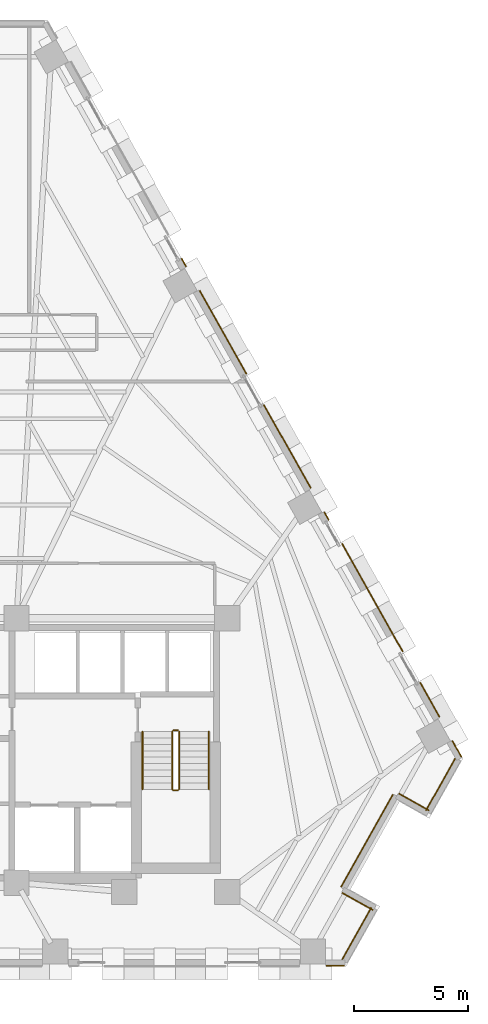
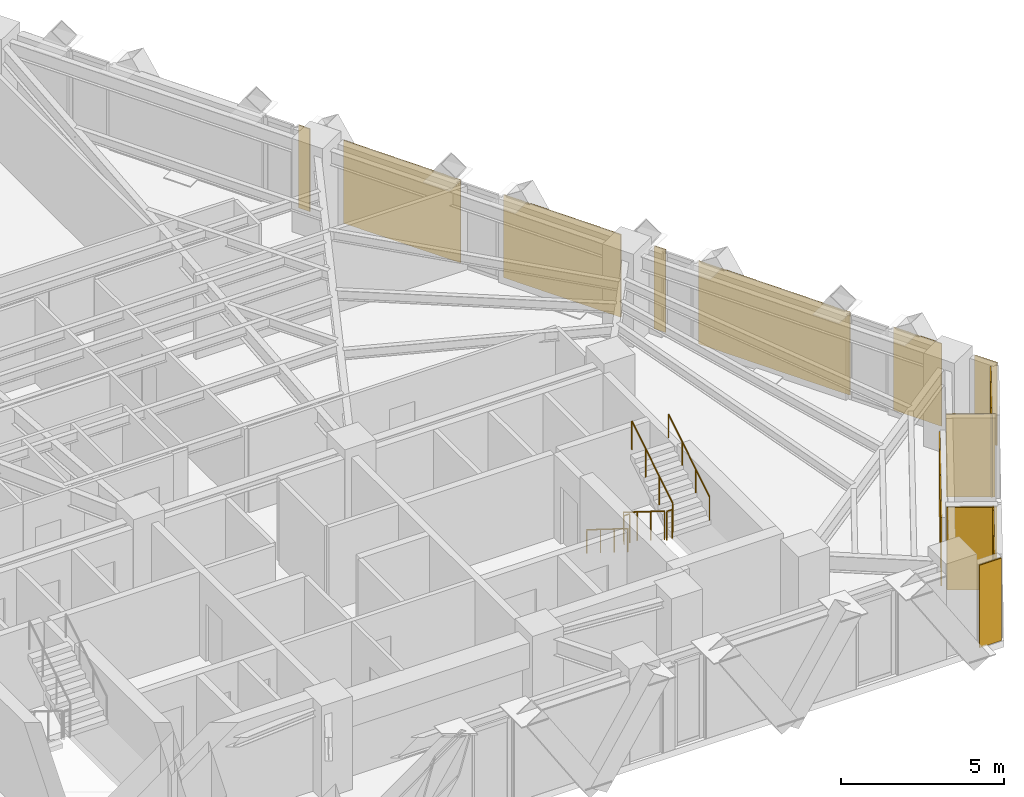
# One storey, part 12 of 13: 13 coverings, 6 railings.
"""IFC4 building model written with IfcOpenShell, lengths in metres."""

import ifcopenshell
import ifcopenshell.guid

model = None  # the IFC model being written
_history = None  # IfcOwnerHistory: only IFC2X3 demands one
_inside = {}  # id of a spatial element -> (the spatial element, [elements in it])
_under = {}  # id of a project, library or spatial element -> (it, [spatial elements below it])
_declared = {}  # id of a project -> (the project, [libraries it declares])
_typed = {}  # id of a type object -> (the type object, [elements of that type])
_made_of = {}  # id of a material, layer set ... -> (it, [elements and type objects made of it])


def new_model(schema):
    """Start an empty IFC model of exactly this schema.

    Asked for "IFC4X3", IfcOpenShell would pick the latest addendum, in which some entities
    have other attributes; the version numbers below select the first issue.
    IFC2X3 requires an IfcOwnerHistory on every rooted entity: one is made here for all.
    """
    global model, _history
    if schema == "IFC4X3":
        model = ifcopenshell.file(schema_version=(4, 3, 0, 0))
    else:
        model = ifcopenshell.file(schema=schema)
    _inside.clear()
    _under.clear()
    _declared.clear()
    _typed.clear()
    _made_of.clear()
    _history = None
    if model.schema == "IFC2X3":
        org = make("IfcOrganization", Name="unknown")
        user = make(
            "IfcPersonAndOrganization",
            ThePerson=make("IfcPerson", FamilyName="unknown"),
            TheOrganization=org,
        )
        app = make(
            "IfcApplication",
            ApplicationDeveloper=org,
            Version="unknown",
            ApplicationFullName="unknown",
            ApplicationIdentifier="unknown",
        )
        _history = make(
            "IfcOwnerHistory",
            OwningUser=user,
            OwningApplication=app,
            ChangeAction="ADDED",
            CreationDate=0,
        )
    return model


def make(cls, **values):
    """One entity of the class cls with the attributes given. An attribute that is None is left unset."""
    return model.create_entity(
        cls, **{name: value for name, value in values.items() if value is not None}
    )


def rooted(cls, **values):
    """An entity with a GlobalId (a new one), such as an element, a storey or a relation."""
    return make(cls, GlobalId=ifcopenshell.guid.new(), OwnerHistory=_history, **values)


def si_unit(unit_type, name, prefix=None):
    """IfcSIUnit, for example si_unit("LENGTHUNIT", "METRE", prefix="MILLI")."""
    return make("IfcSIUnit", UnitType=unit_type, Prefix=prefix, Name=name)


def assignment(units):
    """IfcUnitAssignment: the units of a project."""
    return None if units is None else make("IfcUnitAssignment", Units=units)


def point(xyz):
    """IfcCartesianPoint."""
    return None if xyz is None else make("IfcCartesianPoint", Coordinates=xyz)


def direction(xyz):
    """IfcDirection."""
    return None if xyz is None else make("IfcDirection", DirectionRatios=xyz)


def frame(location, z_axis=None, x_axis=None):
    """IfcAxis2Placement3D, a coordinate frame: its origin and axes. An axis left out is left unset."""
    return make(
        "IfcAxis2Placement3D",
        Location=point(location),
        Axis=direction(z_axis),
        RefDirection=direction(x_axis),
    )


def frame_2d(location, x_axis=None):
    """IfcAxis2Placement2D, a coordinate frame in the plane: its origin and x axis."""
    return make(
        "IfcAxis2Placement2D", Location=point(location), RefDirection=direction(x_axis)
    )


def origin():
    """The frame at (0, 0, 0) with its axes left unset."""
    return frame((0.0, 0.0, 0.0))


def origin_2d():
    """The frame at (0, 0) in the plane with its x axis left unset."""
    return frame_2d((0.0, 0.0))


def place(relative_to, where):
    """IfcLocalPlacement: puts the frame where relative to a parent placement (None: the world)."""
    return make(
        "IfcLocalPlacement", PlacementRelTo=relative_to, RelativePlacement=where
    )


def context(
    kind, dimensions, precision=None, world=None, true_north=None, identifier=None
):
    """IfcGeometricRepresentationContext, for example the 3D "Model" context."""
    return make(
        "IfcGeometricRepresentationContext",
        ContextIdentifier=identifier,
        ContextType=kind,
        CoordinateSpaceDimension=dimensions,
        Precision=precision,
        WorldCoordinateSystem=world,
        TrueNorth=true_north,
    )


def subcontext(parent, identifier, kind, view, scale=None):
    """IfcGeometricRepresentationSubContext, for example "Body" below "Model"."""
    return make(
        "IfcGeometricRepresentationSubContext",
        ContextIdentifier=identifier,
        ContextType=kind,
        ParentContext=parent,
        TargetScale=scale,
        TargetView=view,
    )


def project(units=None, contexts=None):
    """IfcProject with its units and contexts."""
    return rooted(
        "IfcProject",
        Name="project",
        RepresentationContexts=contexts,
        UnitsInContext=assignment(units),
    )


def spatial(cls, under=None, at=None, **own):
    """A site, building, storey or space (cls), placed at a placement, below another one or the project."""
    s = rooted(cls, ObjectPlacement=at, **own)
    if under is not None:
        _under.setdefault(under.id(), (under, []))[1].append(s)
    return s


def polyline(points):
    """IfcPolyline through the points."""
    return make("IfcPolyline", Points=[point(p) for p in points])


def profile(cls, at=None, kind="AREA", **sizes):
    """A parametric profile (cls). Its sizes go by their IFC names, for example OverallWidth=200.0."""
    return make(cls, ProfileType=kind, Position=at, **sizes)


def circle(**sizes):
    """IfcCircleProfileDef."""
    return profile("IfcCircleProfileDef", **sizes)


def outline(outer, holes=None, kind="AREA"):
    """IfcArbitraryClosedProfileDef: a profile drawn as a closed curve; with holes, ...WithVoids."""
    if holes is None:
        return make("IfcArbitraryClosedProfileDef", ProfileType=kind, OuterCurve=outer)
    return make(
        "IfcArbitraryProfileDefWithVoids",
        ProfileType=kind,
        OuterCurve=outer,
        InnerCurves=holes,
    )


def extrude(swept, where, along, depth):
    """IfcExtrudedAreaSolid: the profile swept, set in the frame where, extruded along a direction by depth."""
    return make(
        "IfcExtrudedAreaSolid",
        SweptArea=swept,
        Position=where,
        ExtrudedDirection=direction(along),
        Depth=depth,
    )


def shape(context_of_items, identifier, shape_type, items):
    """IfcShapeRepresentation: the items that make up one representation, for example the "Body"."""
    return make(
        "IfcShapeRepresentation",
        ContextOfItems=context_of_items,
        RepresentationIdentifier=identifier,
        RepresentationType=shape_type,
        Items=items,
    )


def material(Name=None, Category=None):
    """IfcMaterial."""
    return make("IfcMaterial", Name=Name, Category=Category)


def layer(
    of_material, thickness, ventilated=None, Name=None, Category=None, Priority=None
):
    """IfcMaterialLayer: one layer of a wall or slab, of a material (None: an air gap)."""
    return make(
        "IfcMaterialLayer",
        Material=of_material,
        LayerThickness=thickness,
        IsVentilated=ventilated,
        Name=Name,
        Category=Category,
        Priority=Priority,
    )


def layer_set(layers, Name=None):
    """IfcMaterialLayerSet."""
    return make("IfcMaterialLayerSet", MaterialLayers=layers, LayerSetName=Name)


def made_of(thing, what):
    """Note that an element or type object is made of a material, layer set ...; save() writes the relation."""
    if what is not None:
        _made_of.setdefault(what.id(), (what, []))[1].append(thing)
    return thing


def type_object(cls, material=None, **own):
    """A type object (cls), such as IfcWallType, which elements share."""
    return made_of(rooted(cls, **own), material)


def element(
    cls,
    number,
    at=None,
    inside=None,
    cuts=None,
    type_object=None,
    material=None,
    context=None,
    identifier="Body",
    shape_type=None,
    held_by="IfcProductDefinitionShape",
    body=None,
    shapes=None,
    **own,
):
    """One element of the class cls, such as IfcWall. Its Tag is "e" and its number.

    at: its placement. inside: the storey or other place that contains it. cuts: it is an
    opening in that element (IfcRelVoidsElement). A single representation is given by context,
    identifier, shape_type and body (its items); several are given by shapes. held_by: the class
    of the entity that holds the representations. save() writes the other relations.
    """
    e = rooted(cls, Tag="e%d" % number, ObjectPlacement=at, **own)
    if body is not None:
        shapes = [shape(context, identifier, shape_type, body)]
    if shapes is not None:
        e.Representation = make(held_by, Representations=shapes)
    if inside is not None:
        _inside.setdefault(inside.id(), (inside, []))[1].append(e)
    if cuts is not None:
        rooted(
            "IfcRelVoidsElement", RelatingBuildingElement=cuts, RelatedOpeningElement=e
        )
    if type_object is not None:
        _typed.setdefault(type_object.id(), (type_object, []))[1].append(e)
    return made_of(e, material)


def aggregate(whole, parts):
    """IfcRelAggregates: a whole, such as a stair, and the parts it consists of."""
    return rooted("IfcRelAggregates", RelatingObject=whole, RelatedObjects=parts)


def save(model, path):
    """Write the relations noted so far, then the file.

    IfcRelAggregates (storeys below a building ...), IfcRelContainedInSpatialStructure (elements
    in a storey), IfcRelDefinesByType, IfcRelAssociatesMaterial and IfcRelDeclares: one each for
    every whole, place, type object, material and project.
    """
    for whole, parts in _under.values():
        aggregate(whole, parts)
    for where, things in _inside.values():
        rooted(
            "IfcRelContainedInSpatialStructure",
            RelatedElements=things,
            RelatingStructure=where,
        )
    for kind, things in _typed.values():
        rooted("IfcRelDefinesByType", RelatedObjects=things, RelatingType=kind)
    for what, things in _made_of.values():
        rooted("IfcRelAssociatesMaterial", RelatedObjects=things, RelatingMaterial=what)
    for by, libraries in _declared.values():
        rooted("IfcRelDeclares", RelatingContext=by, RelatedDefinitions=libraries)
    model.write(path)


model = new_model("IFC4")

# Units and contexts
model_context = context("Model", 3, precision=1e-05, world=origin(), true_north=direction((0.0, 1.0)))
body_context = subcontext(model_context, "Body", "Model", "MODEL_VIEW")
ifc_project = project(units=[si_unit("LENGTHUNIT", "METRE"), si_unit("AREAUNIT", "SQUARE_METRE"), si_unit("VOLUMEUNIT", "CUBIC_METRE"), si_unit("PLANEANGLEUNIT", "RADIAN"), si_unit("MASSUNIT", "GRAM", prefix="KILO")], contexts=[model_context])

# Site, building, storey
site_placement = place(None, origin())
site = spatial("IfcSite", under=ifc_project, at=site_placement, CompositionType="ELEMENT")
building_placement = place(site_placement, origin())
building = spatial("IfcBuilding", under=site, at=building_placement, Name="Quenlor Broadcast Tower", CompositionType="ELEMENT")
storey_placement = place(building_placement, frame((0.0, 0.0, 87.10009765625)))
storey = spatial("IfcBuildingStorey", under=building, at=storey_placement, Name="L23", CompositionType="ELEMENT", Elevation=87.10009765625)

# Coverings
ifc_material_1 = material(Name="Architectural Terracotta Ceramic", Category="masonry")
ifc_layer = layer(ifc_material_1, 0.044921875)
ifc_layer_set = layer_set([ifc_layer], Name="Fluted Terracotta Rainscreen Cladding Panel")
covering_type = type_object("IfcCoveringType", Name="Fluted Terracotta Rainscreen Cladding Panel", PredefinedType="CLADDING", material=ifc_layer_set)
covering_1_placement = place(storey_placement, frame((0.0, 0.0, 0.02001953125)))
element("IfcCovering", 1, at=covering_1_placement, inside=storey, type_object=covering_type, Name="L23 Terracotta Rainscreen Cladding L23-SHD-SS0", PredefinedType="CLADDING", context=body_context, shape_type="SweptSolid", body=[
    extrude(outline(polyline([(18.053955078125, -19.951904296875), (17.277587890625, -19.951904296875), (17.277587890625, -19.9970703125), (18.053955078125, -19.9970703125), (18.053955078125, -19.951904296875)])), origin(), (0.0, 0.0, 1.0), 3.099853515625),
])
covering_2_placement = place(storey_placement, frame((0.0, 0.0, 0.02001953125)))
element("IfcCovering", 2, at=covering_2_placement, inside=storey, type_object=covering_type, Name="L23 Terracotta Rainscreen Cladding L23-SHD-NES1", PredefinedType="CLADDING", context=body_context, shape_type="SweptSolid", body=[
    extrude(outline(polyline([(22.76611328125, -10.171142578125), (23.160888671875, -10.873046875), (23.2001953125, -10.85107421875), (22.805419921875, -10.149169921875), (22.76611328125, -10.171142578125)])), origin(), (0.0, 0.0, 1.0), 3.099853515625),
])
covering_3_placement = place(storey_placement, frame((0.0, 0.0, 0.02001953125)))
element("IfcCovering", 3, at=covering_3_placement, inside=storey, type_object=covering_type, Name="L23 Terracotta Rainscreen Cladding L23-NEA-SP3", PredefinedType="CLADDING", context=body_context, shape_type="SweptSolid", body=[
    extrude(outline(polyline([(10.936279296875, 10.900634765625), (11.13232421875, 10.552001953125), (11.171630859375, 10.57421875), (10.9755859375, 10.922607421875), (10.936279296875, 10.900634765625)])), origin(), (0.0, 0.0, 1.0), 3.099853515625),
])
covering_4_placement = place(storey_placement, frame((0.0, 0.0, 0.02001953125)))
element("IfcCovering", 4, at=covering_4_placement, inside=storey, type_object=covering_type, Name="L23 Terracotta Rainscreen Cladding L23-NEC-SP1", PredefinedType="CLADDING", context=body_context, shape_type="SweptSolid", body=[
    extrude(outline(polyline([(17.168701171875, -0.179443359375), (17.36474609375, -0.528076171875), (17.404052734375, -0.506103515625), (17.2080078125, -0.157470703125), (17.168701171875, -0.179443359375)])), origin(), (0.0, 0.0, 1.0), 3.099853515625),
])
covering_5_placement = place(storey_placement, frame((0.0, 0.0, 0.02001953125)))
element("IfcCovering", 5, at=covering_5_placement, inside=storey, type_object=covering_type, Name="L23 Terracotta Rainscreen Cladding L23-NEC-SP2", PredefinedType="CLADDING", context=body_context, shape_type="SweptSolid", body=[
    extrude(outline(polyline([(17.94384765625, -1.557373046875), (20.596435546875, -6.27294921875), (20.6357421875, -6.2509765625), (17.983154296875, -1.535400390625), (17.94384765625, -1.557373046875)])), origin(), (0.0, 0.0, 1.0), 3.099853515625),
])
covering_6_placement = place(storey_placement, frame((0.0, 0.0, 0.02001953125)))
element("IfcCovering", 6, at=covering_6_placement, inside=storey, type_object=covering_type, Name="L23 Terracotta Rainscreen Cladding L23-NEC-SP3", PredefinedType="CLADDING", context=body_context, shape_type="SweptSolid", body=[
    extrude(outline(polyline([(21.35693359375, -7.625), (22.2001953125, -9.1240234375), (22.239501953125, -9.10205078125), (21.396240234375, -7.60302734375), (21.35693359375, -7.625)])), origin(), (0.0, 0.0, 1.0), 3.099853515625),
])
covering_7_placement = place(storey_placement, frame((0.0, 0.0, 0.02001953125)))
element("IfcCovering", 7, at=covering_7_placement, inside=storey, type_object=covering_type, Name="L23 Terracotta Rainscreen Cladding L23-NE-SP1", PredefinedType="CLADDING", context=body_context, shape_type="SweptSolid", body=[
    extrude(outline(polyline([(11.72314453125, 9.501708984375), (13.770263671875, 5.8623046875), (13.8095703125, 5.884521484375), (11.76220703125, 9.523681640625), (11.72314453125, 9.501708984375)])), origin(), (0.0, 0.0, 1.0), 3.099853515625),
])
covering_8_placement = place(storey_placement, frame((0.0, 0.0, 0.02001953125)))
element("IfcCovering", 8, at=covering_8_placement, inside=storey, type_object=covering_type, Name="L23 Terracotta Rainscreen Cladding L23-NE-SP2", PredefinedType="CLADDING", context=body_context, shape_type="SweptSolid", body=[
    extrude(outline(polyline([(14.531005859375, 4.51025390625), (16.577880859375, 0.870849609375), (16.6171875, 0.892822265625), (14.570068359375, 4.5322265625), (14.531005859375, 4.51025390625)])), origin(), (0.0, 0.0, 1.0), 3.099853515625),
])
covering_9_placement = place(storey_placement, frame((0.0, 0.0, 0.02001953125)))
element("IfcCovering", 9, at=covering_9_placement, inside=storey, type_object=covering_type, Name="L23 Terracotta Rainscreen Cladding L23-CNR-01", PredefinedType="CLADDING", context=body_context, shape_type="SweptSolid", body=[
    extrude(outline(polyline([(19.31787109375, -17.525390625), (17.9755859375, -16.770263671875), (17.95361328125, -16.8095703125), (19.2958984375, -17.564697265625), (19.31787109375, -17.525390625)])), origin(), (0.0, 0.0, 1.0), 3.099853515625),
])
covering_10_placement = place(storey_placement, frame((0.0, 0.0, 0.02001953125)))
element("IfcCovering", 10, at=covering_10_placement, inside=storey, type_object=covering_type, Name="L23 Terracotta Rainscreen Cladding L23-CNR-02", PredefinedType="CLADDING", context=body_context, shape_type="SweptSolid", body=[
    extrude(outline(polyline([(17.941162109375, -16.5419921875), (20.206298828125, -12.515380859375), (20.1669921875, -12.493408203125), (17.902099609375, -16.52001953125), (17.941162109375, -16.5419921875)])), origin(), (0.0, 0.0, 1.0), 2.57177734375),
])
covering_11_placement = place(storey_placement, frame((0.0, 0.0, 0.02001953125)))
element("IfcCovering", 11, at=covering_11_placement, inside=storey, type_object=covering_type, Name="L23 Terracotta Rainscreen Cladding L23-CNR-03", PredefinedType="CLADDING", context=body_context, shape_type="SweptSolid", body=[
    extrude(outline(polyline([(20.4345703125, -12.48095703125), (21.741943359375, -13.21630859375), (21.763916015625, -13.177001953125), (20.45654296875, -12.441650390625), (20.4345703125, -12.48095703125)])), origin(), (0.0, 0.0, 1.0), 3.099853515625),
])
covering_12_placement = place(storey_placement, frame((0.0, 0.0, 0.02001953125)))
element("IfcCovering", 12, at=covering_12_placement, inside=storey, type_object=covering_type, Name="L23 Terracotta Rainscreen Cladding L23-CNR-04", PredefinedType="CLADDING", context=body_context, shape_type="SweptSolid", body=[
    extrude(outline(polyline([(21.64990234375, -13.212646484375), (22.926513671875, -10.94287109375), (22.887451171875, -10.9208984375), (21.610595703125, -13.190673828125), (21.64990234375, -13.212646484375)])), origin(), (0.0, 0.0, 1.0), 3.099853515625),
])
covering_13_placement = place(storey_placement, frame((0.0, 0.0, 0.02001953125)))
element("IfcCovering", 13, at=covering_13_placement, inside=storey, type_object=covering_type, Name="L23 Terracotta Rainscreen Cladding L23-CNR-18", PredefinedType="CLADDING", context=body_context, shape_type="SweptSolid", body=[
    extrude(outline(polyline([(17.991943359375, -19.71533203125), (19.26708984375, -17.448486328125), (19.227783203125, -17.426513671875), (17.952880859375, -19.693359375), (17.991943359375, -19.71533203125)])), origin(), (0.0, 0.0, 1.0), 3.099853515625),
])

# Railings
ifc_material_2 = material(Name="Anodised Aluminium", Category="aluminium")
railing_type_1 = type_object("IfcRailingType", Name="Stainless Aluminium Wall Handrail 900", PredefinedType="HANDRAIL", material=ifc_material_2)
railing_1_placement = place(storey_placement, frame((9.25, -9.75, 0.1748046875)))
element("IfcRailing", 14, at=railing_1_placement, inside=storey, type_object=railing_type_1, Name="L23 ST-2 stair handrail 1", PredefinedType="HANDRAIL", context=body_context, shape_type="SweptSolid", body=[
    extrude(circle(Radius=0.02392578125, at=origin_2d()), frame((0.0, 0.0, 0.8759765625), z_axis=(0.0, -0.847970611238, 0.530043245855), x_axis=(1.0, 0.0, 0.0)), (0.0, 0.0, 1.0), 2.971923828125),
    extrude(circle(Radius=0.02099609375, at=origin_2d()), origin(), (0.0, 0.0, 1.0), 0.851806640625),
    extrude(circle(Radius=0.02099609375, at=origin_2d()), frame((0.0, -0.840087890625, 0.525146484375)), (0.0, 0.0, 1.0), 0.851806640625),
    extrude(circle(Radius=0.02099609375, at=origin_2d()), frame((0.0, -1.679931640625, 1.050048828125)), (0.0, 0.0, 1.0), 0.851806640625),
    extrude(circle(Radius=0.02099609375, at=origin_2d()), frame((0.0, -2.52001953125, 1.5751953125)), (0.0, 0.0, 1.0), 0.851806640625),
])
railing_2_placement = place(storey_placement, frame((12.14990234375, -12.27001953125, 1.9248046875)))
element("IfcRailing", 15, at=railing_2_placement, inside=storey, type_object=railing_type_1, Name="L23 ST-2 stair handrail 2", PredefinedType="HANDRAIL", context=body_context, shape_type="SweptSolid", body=[
    extrude(circle(Radius=0.02392578125, at=origin_2d()), frame((0.0, 0.0, 0.8759765625), z_axis=(0.0, 0.847970611238, 0.530043245855), x_axis=(-1.0, 0.0, 0.0)), (0.0, 0.0, 1.0), 2.971923828125),
    extrude(circle(Radius=0.02099609375, at=origin_2d()), origin(), (0.0, 0.0, 1.0), 0.851806640625),
    extrude(circle(Radius=0.02099609375, at=origin_2d()), frame((0.0, 0.840087890625, 0.525146484375)), (0.0, 0.0, 1.0), 0.851806640625),
    extrude(circle(Radius=0.02099609375, at=origin_2d()), frame((0.0, 1.679931640625, 1.050048828125)), (0.0, 0.0, 1.0), 0.851806640625),
    extrude(circle(Radius=0.02099609375, at=origin_2d()), frame((0.0, 2.52001953125, 1.5751953125)), (0.0, 0.0, 1.0), 0.851806640625),
])
ifc_material_3 = material(Name="Steel S355", Category="steel")
railing_type_2 = type_object("IfcRailingType", Name="Tubular Steel S355 Stair Guardrail 1100", PredefinedType="BALUSTRADE", material=ifc_material_3)
railing_3_placement = place(storey_placement, frame((10.550048828125, -9.75, 0.1748046875)))
element("IfcRailing", 16, at=railing_3_placement, inside=storey, type_object=railing_type_2, Name="L23 ST-2 stair guard 1", PredefinedType="BALUSTRADE", context=body_context, shape_type="SweptSolid", body=[
    extrude(circle(Radius=0.02392578125, at=origin_2d()), frame((0.0, 0.0, 1.076171875), z_axis=(0.0, -0.847970611238, 0.530043245855), x_axis=(1.0, 0.0, 0.0)), (0.0, 0.0, 1.0), 2.971923828125),
    extrude(circle(Radius=0.02099609375, at=origin_2d()), origin(), (0.0, 0.0, 1.0), 1.052001953125),
    extrude(circle(Radius=0.02099609375, at=origin_2d()), frame((0.0, -0.840087890625, 0.525146484375)), (0.0, 0.0, 1.0), 1.052001953125),
    extrude(circle(Radius=0.02099609375, at=origin_2d()), frame((0.0, -1.679931640625, 1.050048828125)), (0.0, 0.0, 1.0), 1.052001953125),
    extrude(circle(Radius=0.02099609375, at=origin_2d()), frame((0.0, -2.52001953125, 1.5751953125)), (0.0, 0.0, 1.0), 1.052001953125),
])
railing_4_placement = place(storey_placement, frame((10.60009765625, -12.320068359375, 1.75)))
element("IfcRailing", 17, at=railing_4_placement, inside=storey, type_object=railing_type_2, Name="L23 ST-2 stair guard 2", PredefinedType="BALUSTRADE", context=body_context, shape_type="SweptSolid", body=[
    extrude(circle(Radius=0.02392578125, at=origin_2d()), frame((0.0, 0.0, 1.076171875), z_axis=(1.0, 0.0, 0.0), x_axis=(0.0, 1.0, 0.0)), (0.0, 0.0, 1.0), 0.199951171875),
    extrude(circle(Radius=0.02099609375, at=origin_2d()), origin(), (0.0, 0.0, 1.0), 1.052001953125),
    extrude(circle(Radius=0.02099609375, at=origin_2d()), frame((0.199951171875, 0.0, 0.0)), (0.0, 0.0, 1.0), 1.052001953125),
])
railing_5_placement = place(storey_placement, frame((10.85009765625, -12.27001953125, 1.9248046875)))
element("IfcRailing", 18, at=railing_5_placement, inside=storey, type_object=railing_type_2, Name="L23 ST-2 stair guard 3", PredefinedType="BALUSTRADE", context=body_context, shape_type="SweptSolid", body=[
    extrude(circle(Radius=0.02392578125, at=origin_2d()), frame((0.0, 0.0, 1.076171875), z_axis=(0.0, 0.847970611238, 0.530043245855), x_axis=(-1.0, 0.0, 0.0)), (0.0, 0.0, 1.0), 2.971923828125),
    extrude(circle(Radius=0.02099609375, at=origin_2d()), origin(), (0.0, 0.0, 1.0), 1.052001953125),
    extrude(circle(Radius=0.02099609375, at=origin_2d()), frame((0.0, 0.840087890625, 0.525146484375)), (0.0, 0.0, 1.0), 1.052001953125),
    extrude(circle(Radius=0.02099609375, at=origin_2d()), frame((0.0, 1.679931640625, 1.050048828125)), (0.0, 0.0, 1.0), 1.052001953125),
    extrude(circle(Radius=0.02099609375, at=origin_2d()), frame((0.0, 2.52001953125, 1.5751953125)), (0.0, 0.0, 1.0), 1.052001953125),
])
railing_6_placement = place(storey_placement, frame((10.60009765625, -9.699951171875, 0.0)))
element("IfcRailing", 19, at=railing_6_placement, inside=storey, type_object=railing_type_2, Name="L23 ST-2 stair guard 4", PredefinedType="BALUSTRADE", context=body_context, shape_type="SweptSolid", body=[
    extrude(circle(Radius=0.02392578125, at=origin_2d()), frame((0.0, 0.0, 1.076171875), z_axis=(1.0, 0.0, 0.0), x_axis=(0.0, 1.0, 0.0)), (0.0, 0.0, 1.0), 0.199951171875),
    extrude(circle(Radius=0.02099609375, at=origin_2d()), origin(), (0.0, 0.0, 1.0), 1.052001953125),
    extrude(circle(Radius=0.02099609375, at=origin_2d()), frame((0.199951171875, 0.0, 0.0)), (0.0, 0.0, 1.0), 1.052001953125),
])

save(model, "model.ifc")
